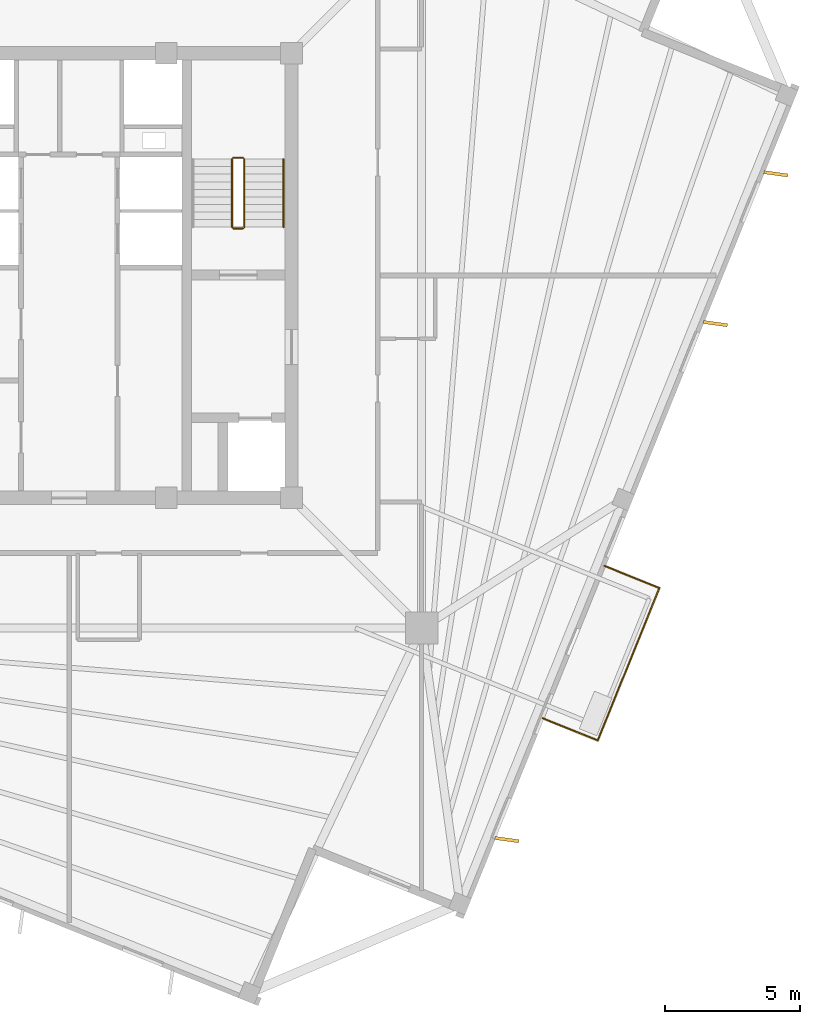
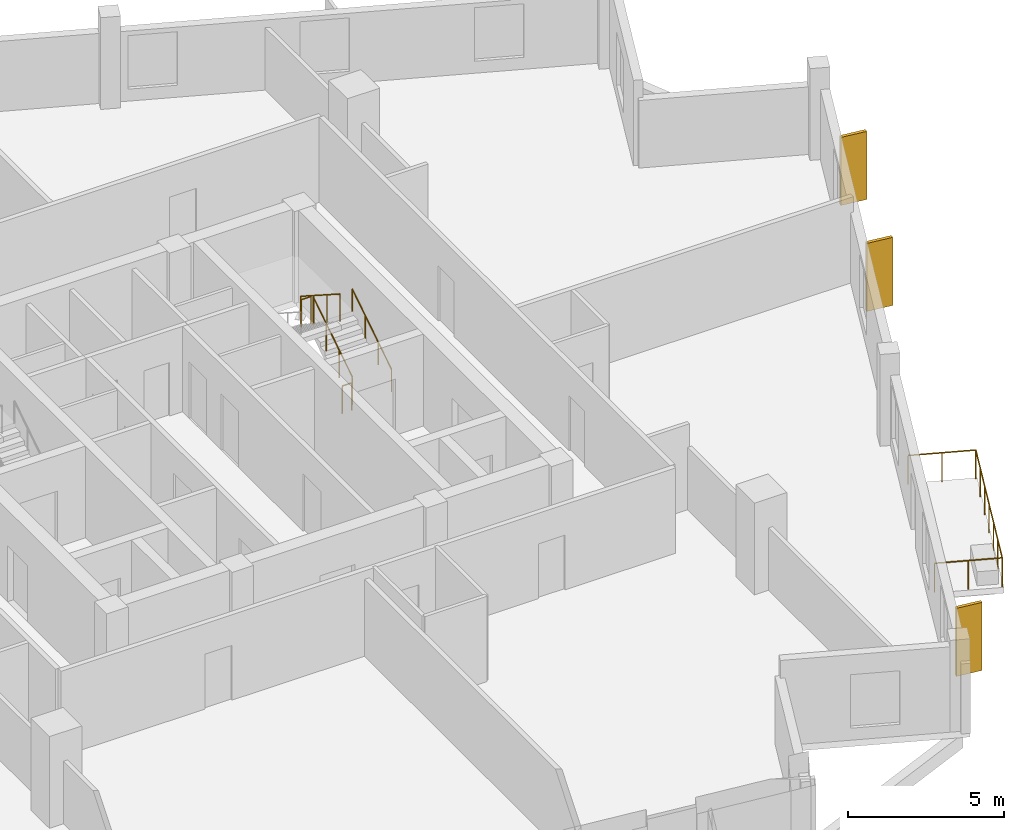
# One storey, part 7 of 8: 8 railings, 3 coverings.
"""IFC4 building model written with IfcOpenShell, lengths in metres."""

from ifc_helpers import new_model, si_unit, direction, frame, origin, origin_2d, place, context, subcontext, project, spatial, rectangle, circle, extrude, source, transform, mapped, material, layer, layer_set, type_object, element, save


model = new_model("IFC4")

# Units and contexts
model_context = context("Model", 3, precision=1e-05, world=origin(), true_north=direction((0.0, 1.0)))
body_context = subcontext(model_context, "Body", "Model", "MODEL_VIEW")
ifc_project = project(units=[si_unit("LENGTHUNIT", "METRE"), si_unit("AREAUNIT", "SQUARE_METRE"), si_unit("VOLUMEUNIT", "CUBIC_METRE"), si_unit("PLANEANGLEUNIT", "RADIAN"), si_unit("MASSUNIT", "GRAM", prefix="KILO"), si_unit("THERMODYNAMICTEMPERATUREUNIT", "KELVIN")], contexts=[model_context])

# Site, building, storey
site_placement = place(None, origin())
site = spatial("IfcSite", under=ifc_project, at=site_placement, CompositionType="ELEMENT")
building_placement = place(site_placement, origin())
building = spatial("IfcBuilding", under=site, at=building_placement, Name="Kosmvard Interchange Tower", CompositionType="ELEMENT")
storey_placement = place(building_placement, frame((0.0, 0.0, 294.0)))
storey = spatial("IfcBuildingStorey", under=building, at=storey_placement, Name="L72", CompositionType="ELEMENT", Elevation=294.0)

# Railing
ifc_material_1 = material(Name="Steel S355", Category="steel")
railing_type_1 = type_object("IfcRailingType", Name="Observation & Balcony Glass-Infill Balustrade 1150", PredefinedType="BALUSTRADE", material=ifc_material_1)
shared_shape_1 = source(origin(), body_context, "Body", "SweptSolid", [
    extrude(circle(Radius=0.02392578125, at=origin_2d()), frame((0.0, 0.0, 1.1259765625), z_axis=(0.927208487558, -0.374545618852, 0.0), x_axis=(0.374545618852, 0.927208487558, 0.0)), (0.0, 0.0, 1.0), 2.199951171875),
    extrude(circle(Radius=0.02099609375, at=origin_2d()), origin(), (0.0, 0.0, 1.0), 1.101806640625),
    extrude(circle(Radius=0.02099609375, at=origin_2d()), frame((1.02001953125, -0.412109375, 0.0)), (0.0, 0.0, 1.0), 1.101806640625),
    extrude(circle(Radius=0.02099609375, at=origin_2d()), frame((2.039794921875, -0.823974609375, 0.0)), (0.0, 0.0, 1.0), 1.101806640625),
])
railing_1_placement = place(storey_placement, frame((17.574951171875, -16.43017578125, 0.0)))
element("IfcRailing", 1, at=railing_1_placement, inside=storey, type_object=railing_type_1, Name="L72 Outdoor Terrace Guard BAL-L72-S-A", PredefinedType="BALUSTRADE", context=body_context, shape_type="MappedRepresentation", body=[
    mapped(shared_shape_1, transform((0.0, 0.0, 0.0), scale=1.0)),
])

# Coverings
ifc_material_2 = material(Name="Architectural anodised aluminium", Category="aluminium")
ifc_layer = layer(ifc_material_2, 0.1201171875, Name="Architectural anodised aluminium")
ifc_layer_set = layer_set([ifc_layer], Name="Architectural anodised aluminium")
covering_type = type_object("IfcCoveringType", Name="Rotating Vertical Sun-Breaker Fin 900x120 Aluminium", PredefinedType="CLADDING", material=ifc_layer_set)
shared_shape_2 = source(origin(), body_context, "Body", "SweptSolid", [
    extrude(rectangle(XDim=0.89990234375, YDim=0.1201171875, at=origin_2d()), origin(), (0.0, 0.0, 1.0), 2.669921875),
])
for number, where, z_axis, x_axis, name in (
    (2, (16.2412109375, -20.932373046875, 0.0400390625), (0.0, 0.0, 1.0), (0.990747840471, -0.135715572434, 0.0), "L72 Rotating Vertical Sun-Breaker Fin 01"),
    (3, (23.977783203125, -1.783935546875, 0.0400390625), (0.0, 0.0, 1.0), (0.990747840471, -0.135715572434, 0.0), "L72 Rotating Vertical Sun-Breaker Fin 02"),
    (4, (26.223876953125, 3.775390625, 0.0400390625), (0.0, 0.0, 1.0), (0.990747840471, -0.135715572434, 0.0), "L72 Rotating Vertical Sun-Breaker Fin 03"),
):
    element("IfcCovering", number, at=place(storey_placement, frame(where, z_axis=z_axis, x_axis=x_axis)), inside=storey, type_object=covering_type, Name=name, PredefinedType="CLADDING", context=body_context, shape_type="MappedRepresentation", body=[
        mapped(shared_shape_2, transform((0.0, 0.0, 0.0), scale=1.0)),
    ])

# Railings
shared_shape_3 = source(origin(), body_context, "Body", "SweptSolid", [
    extrude(circle(Radius=0.02392578125, at=origin_2d()), frame((0.0, 0.0, 1.1259765625), z_axis=(0.374617894384, 0.927179288599, 0.0), x_axis=(-0.927179288599, 0.374617894384, 0.0)), (0.0, 0.0, 1.0), 6.099853515625),
    extrude(circle(Radius=0.02099609375, at=origin_2d()), origin(), (0.0, 0.0, 1.0), 1.101806640625),
    extrude(circle(Radius=0.02099609375, at=origin_2d()), frame((0.380859375, 0.942626953125, 0.0)), (0.0, 0.0, 1.0), 1.101806640625),
    extrude(circle(Radius=0.02099609375, at=origin_2d()), frame((0.76171875, 1.88525390625, 0.0)), (0.0, 0.0, 1.0), 1.101806640625),
    extrude(circle(Radius=0.02099609375, at=origin_2d()), frame((1.142578125, 2.827880859375, 0.0)), (0.0, 0.0, 1.0), 1.101806640625),
    extrude(circle(Radius=0.02099609375, at=origin_2d()), frame((1.5234375, 3.7705078125, 0.0)), (0.0, 0.0, 1.0), 1.101806640625),
    extrude(circle(Radius=0.02099609375, at=origin_2d()), frame((1.904296875, 4.713134765625, 0.0)), (0.0, 0.0, 1.0), 1.101806640625),
    extrude(circle(Radius=0.02099609375, at=origin_2d()), frame((2.28515625, 5.65576171875, 0.0)), (0.0, 0.0, 1.0), 1.101806640625),
])
railing_2_placement = place(storey_placement, frame((19.61474609375, -17.254150390625, 0.0)))
element("IfcRailing", 5, at=railing_2_placement, inside=storey, type_object=railing_type_1, Name="L72 Outdoor Terrace Guard BAL-L72-S-B", PredefinedType="BALUSTRADE", context=body_context, shape_type="MappedRepresentation", body=[
    mapped(shared_shape_3, transform((0.0, 0.0, 0.0), scale=1.0)),
])
shared_shape_4 = source(origin(), body_context, "Body", "SweptSolid", [
    extrude(circle(Radius=0.02392578125, at=origin_2d()), frame((0.0, 0.0, 1.1259765625), z_axis=(-0.927169944131, 0.374641021112, 0.0), x_axis=(-0.374641021112, -0.927169944131, 0.0)), (0.0, 0.0, 1.0), 2.199951171875),
    extrude(circle(Radius=0.02099609375, at=origin_2d()), origin(), (0.0, 0.0, 1.0), 1.101806640625),
    extrude(circle(Radius=0.02099609375, at=origin_2d()), frame((-1.02001953125, 0.412109375, 0.0)), (0.0, 0.0, 1.0), 1.101806640625),
    extrude(circle(Radius=0.02099609375, at=origin_2d()), frame((-2.039794921875, 0.82421875, 0.0)), (0.0, 0.0, 1.0), 1.101806640625),
])
railing_3_placement = place(storey_placement, frame((21.89990234375, -11.598388671875, 0.0)))
element("IfcRailing", 6, at=railing_3_placement, inside=storey, type_object=railing_type_1, Name="L72 Outdoor Terrace Guard BAL-L72-S-C", PredefinedType="BALUSTRADE", context=body_context, shape_type="MappedRepresentation", body=[
    mapped(shared_shape_4, transform((0.0, 0.0, 0.0), scale=1.0)),
])
railing_type_2 = type_object("IfcRailingType", Name="Stair & Terrace Safety Guardrail 1100 Steel", PredefinedType="GUARDRAIL", material=ifc_material_1)
shared_shape_5 = source(origin(), body_context, "Body", "SweptSolid", [
    extrude(circle(Radius=0.02392578125, at=origin_2d()), frame((0.0, 0.0, 1.076171875), z_axis=(-1.0, 0.0, 0.0), x_axis=(0.0, -1.0, 0.0)), (0.0, 0.0, 1.0), 0.35986328125),
    extrude(circle(Radius=0.02099609375, at=origin_2d()), origin(), (0.0, 0.0, 1.0), 1.052001953125),
    extrude(circle(Radius=0.02099609375, at=origin_2d()), frame((-0.35986328125, 0.0, 0.0)), (0.0, 0.0, 1.0), 1.052001953125),
])
for number, where, name in (
    (7, (6.449951171875, 4.3701171875, 1.800048828125), "L72 ST-2 stair guard 2"),
    (8, (6.449951171875, 1.75, 0.0), "L72 ST-2 stair guard 4"),
):
    element("IfcRailing", number, at=place(storey_placement, frame(where)), inside=storey, type_object=railing_type_2, Name=name, PredefinedType="GUARDRAIL", context=body_context, shape_type="MappedRepresentation", body=[
        mapped(shared_shape_5, transform((0.0, 0.0, 0.0), scale=1.0)),
    ])
shared_shape_6 = source(origin(), body_context, "Body", "SweptSolid", [
    extrude(circle(Radius=0.02392578125, at=origin_2d()), frame((0.0, 0.0, 1.076171875), z_axis=(0.0, 0.841162588446, 0.540782303519), x_axis=(-1.0, 0.0, 0.0)), (0.0, 0.0, 1.0), 2.995849609375),
    extrude(circle(Radius=0.02099609375, at=origin_2d()), origin(), (0.0, 0.0, 1.0), 1.052001953125),
    extrude(circle(Radius=0.02099609375, at=origin_2d()), frame((0.0, 0.840087890625, 0.5400390625)), (0.0, 0.0, 1.0), 1.052001953125),
    extrude(circle(Radius=0.02099609375, at=origin_2d()), frame((0.0, 1.679931640625, 1.080078125)), (0.0, 0.0, 1.0), 1.052001953125),
    extrude(circle(Radius=0.02099609375, at=origin_2d()), frame((0.0, 2.52001953125, 1.6201171875)), (0.0, 0.0, 1.0), 1.052001953125),
])
railing_4_placement = place(storey_placement, frame((6.5, 1.800048828125, 0.179931640625)))
element("IfcRailing", 9, at=railing_4_placement, inside=storey, type_object=railing_type_2, Name="L72 ST-2 stair guard 1", PredefinedType="GUARDRAIL", context=body_context, shape_type="MappedRepresentation", body=[
    mapped(shared_shape_6, transform((0.0, 0.0, 0.0), scale=1.0)),
])
shared_shape_7 = source(origin(), body_context, "Body", "SweptSolid", [
    extrude(circle(Radius=0.02392578125, at=origin_2d()), frame((0.0, 0.0, 1.076171875), z_axis=(0.0, -0.841162588446, 0.540782303519), x_axis=(1.0, 0.0, 0.0)), (0.0, 0.0, 1.0), 2.995849609375),
    extrude(circle(Radius=0.02099609375, at=origin_2d()), origin(), (0.0, 0.0, 1.0), 1.052001953125),
    extrude(circle(Radius=0.02099609375, at=origin_2d()), frame((0.0, -0.840087890625, 0.5400390625)), (0.0, 0.0, 1.0), 1.052001953125),
    extrude(circle(Radius=0.02099609375, at=origin_2d()), frame((0.0, -1.679931640625, 1.080078125)), (0.0, 0.0, 1.0), 1.052001953125),
    extrude(circle(Radius=0.02099609375, at=origin_2d()), frame((0.0, -2.52001953125, 1.6201171875)), (0.0, 0.0, 1.0), 1.052001953125),
])
railing_5_placement = place(storey_placement, frame((6.0400390625, 4.320068359375, 1.97998046875)))
element("IfcRailing", 10, at=railing_5_placement, inside=storey, type_object=railing_type_2, Name="L72 ST-2 stair guard 3", PredefinedType="GUARDRAIL", context=body_context, shape_type="MappedRepresentation", body=[
    mapped(shared_shape_7, transform((0.0, 0.0, 0.0), scale=1.0)),
])
railing_type_3 = type_object("IfcRailingType", Name="Wall-Mounted Stair Handrail 900 Steel", PredefinedType="HANDRAIL", material=ifc_material_1)
shared_shape_8 = source(origin(), body_context, "Body", "SweptSolid", [
    extrude(circle(Radius=0.02392578125, at=origin_2d()), frame((0.0, 0.0, 0.8759765625), z_axis=(0.0, 0.841162588446, 0.540782303519), x_axis=(-1.0, 0.0, 0.0)), (0.0, 0.0, 1.0), 2.995849609375),
    extrude(circle(Radius=0.02099609375, at=origin_2d()), origin(), (0.0, 0.0, 1.0), 0.851806640625),
    extrude(circle(Radius=0.02099609375, at=origin_2d()), frame((0.0, 0.840087890625, 0.5400390625)), (0.0, 0.0, 1.0), 0.851806640625),
    extrude(circle(Radius=0.02099609375, at=origin_2d()), frame((0.0, 1.679931640625, 1.080078125)), (0.0, 0.0, 1.0), 0.851806640625),
    extrude(circle(Radius=0.02099609375, at=origin_2d()), frame((0.0, 2.52001953125, 1.6201171875)), (0.0, 0.0, 1.0), 0.851806640625),
])
railing_6_placement = place(storey_placement, frame((7.949951171875, 1.800048828125, 0.179931640625)))
element("IfcRailing", 11, at=railing_6_placement, inside=storey, type_object=railing_type_3, Name="L72 ST-2 stair handrail 1", PredefinedType="HANDRAIL", context=body_context, shape_type="MappedRepresentation", body=[
    mapped(shared_shape_8, transform((0.0, 0.0, 0.0), scale=1.0)),
])

save(model, "model.ifc")
